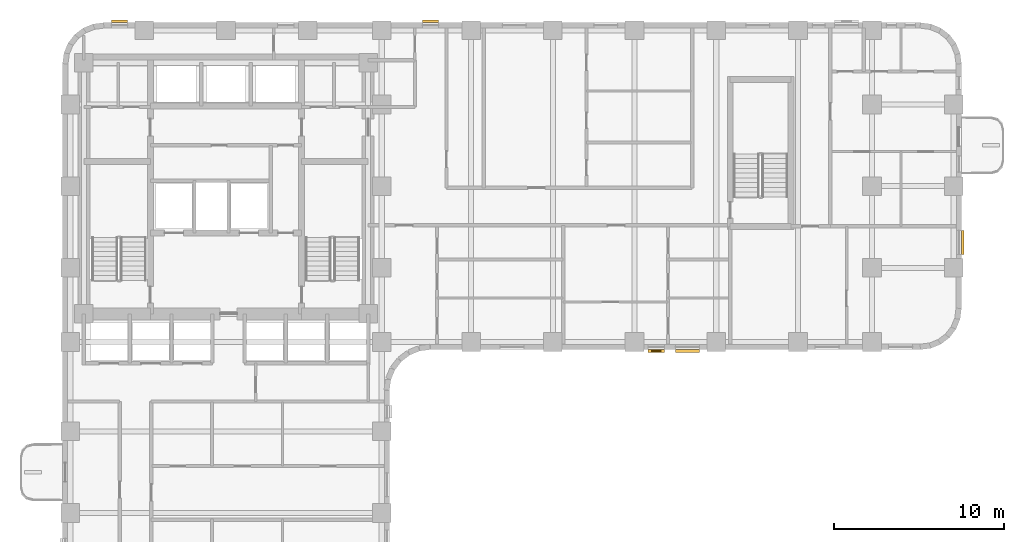
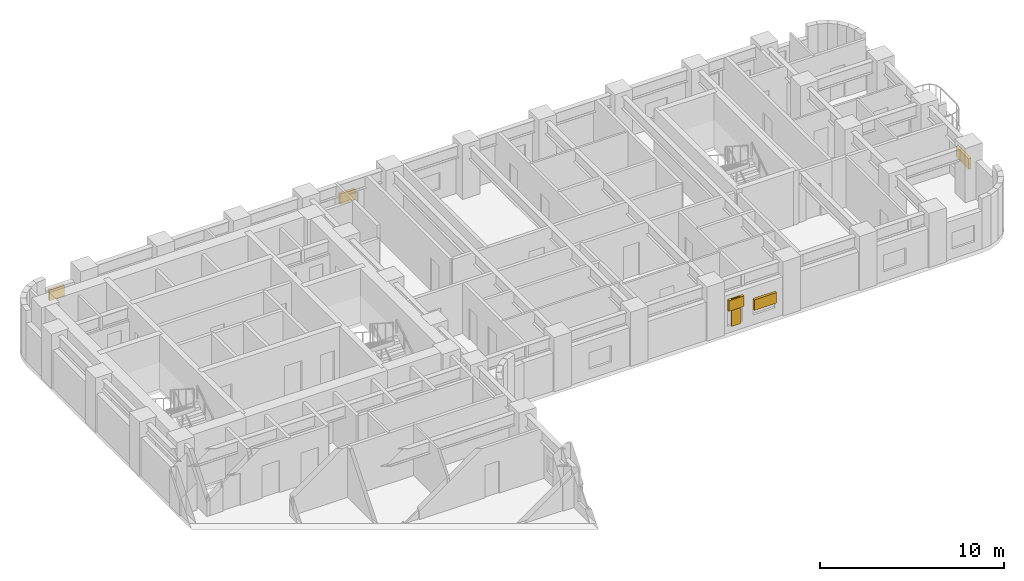
# One storey, part 9 of 10: 6 shading devices.
"""IFC4 building model written with IfcOpenShell, lengths in metres."""

import ifcopenshell
import ifcopenshell.guid

model = None  # the IFC model being written
_history = None  # IfcOwnerHistory: only IFC2X3 demands one
_inside = {}  # id of a spatial element -> (the spatial element, [elements in it])
_under = {}  # id of a project, library or spatial element -> (it, [spatial elements below it])
_declared = {}  # id of a project -> (the project, [libraries it declares])
_typed = {}  # id of a type object -> (the type object, [elements of that type])
_made_of = {}  # id of a material, layer set ... -> (it, [elements and type objects made of it])


def new_model(schema):
    """Start an empty IFC model of exactly this schema.

    Asked for "IFC4X3", IfcOpenShell would pick the latest addendum, in which some entities
    have other attributes; the version numbers below select the first issue.
    IFC2X3 requires an IfcOwnerHistory on every rooted entity: one is made here for all.
    """
    global model, _history
    if schema == "IFC4X3":
        model = ifcopenshell.file(schema_version=(4, 3, 0, 0))
    else:
        model = ifcopenshell.file(schema=schema)
    _inside.clear()
    _under.clear()
    _declared.clear()
    _typed.clear()
    _made_of.clear()
    _history = None
    if model.schema == "IFC2X3":
        org = make("IfcOrganization", Name="unknown")
        user = make(
            "IfcPersonAndOrganization",
            ThePerson=make("IfcPerson", FamilyName="unknown"),
            TheOrganization=org,
        )
        app = make(
            "IfcApplication",
            ApplicationDeveloper=org,
            Version="unknown",
            ApplicationFullName="unknown",
            ApplicationIdentifier="unknown",
        )
        _history = make(
            "IfcOwnerHistory",
            OwningUser=user,
            OwningApplication=app,
            ChangeAction="ADDED",
            CreationDate=0,
        )
    return model


def make(cls, **values):
    """One entity of the class cls with the attributes given. An attribute that is None is left unset."""
    return model.create_entity(
        cls, **{name: value for name, value in values.items() if value is not None}
    )


def rooted(cls, **values):
    """An entity with a GlobalId (a new one), such as an element, a storey or a relation."""
    return make(cls, GlobalId=ifcopenshell.guid.new(), OwnerHistory=_history, **values)


def si_unit(unit_type, name, prefix=None):
    """IfcSIUnit, for example si_unit("LENGTHUNIT", "METRE", prefix="MILLI")."""
    return make("IfcSIUnit", UnitType=unit_type, Prefix=prefix, Name=name)


def assignment(units):
    """IfcUnitAssignment: the units of a project."""
    return None if units is None else make("IfcUnitAssignment", Units=units)


def point(xyz):
    """IfcCartesianPoint."""
    return None if xyz is None else make("IfcCartesianPoint", Coordinates=xyz)


def direction(xyz):
    """IfcDirection."""
    return None if xyz is None else make("IfcDirection", DirectionRatios=xyz)


def frame(location, z_axis=None, x_axis=None):
    """IfcAxis2Placement3D, a coordinate frame: its origin and axes. An axis left out is left unset."""
    return make(
        "IfcAxis2Placement3D",
        Location=point(location),
        Axis=direction(z_axis),
        RefDirection=direction(x_axis),
    )


def frame_2d(location, x_axis=None):
    """IfcAxis2Placement2D, a coordinate frame in the plane: its origin and x axis."""
    return make(
        "IfcAxis2Placement2D", Location=point(location), RefDirection=direction(x_axis)
    )


def origin():
    """The frame at (0, 0, 0) with its axes left unset."""
    return frame((0.0, 0.0, 0.0))


def origin_2d():
    """The frame at (0, 0) in the plane with its x axis left unset."""
    return frame_2d((0.0, 0.0))


def place(relative_to, where):
    """IfcLocalPlacement: puts the frame where relative to a parent placement (None: the world)."""
    return make(
        "IfcLocalPlacement", PlacementRelTo=relative_to, RelativePlacement=where
    )


def context(
    kind, dimensions, precision=None, world=None, true_north=None, identifier=None
):
    """IfcGeometricRepresentationContext, for example the 3D "Model" context."""
    return make(
        "IfcGeometricRepresentationContext",
        ContextIdentifier=identifier,
        ContextType=kind,
        CoordinateSpaceDimension=dimensions,
        Precision=precision,
        WorldCoordinateSystem=world,
        TrueNorth=true_north,
    )


def subcontext(parent, identifier, kind, view, scale=None):
    """IfcGeometricRepresentationSubContext, for example "Body" below "Model"."""
    return make(
        "IfcGeometricRepresentationSubContext",
        ContextIdentifier=identifier,
        ContextType=kind,
        ParentContext=parent,
        TargetScale=scale,
        TargetView=view,
    )


def project(units=None, contexts=None):
    """IfcProject with its units and contexts."""
    return rooted(
        "IfcProject",
        Name="project",
        RepresentationContexts=contexts,
        UnitsInContext=assignment(units),
    )


def spatial(cls, under=None, at=None, **own):
    """A site, building, storey or space (cls), placed at a placement, below another one or the project."""
    s = rooted(cls, ObjectPlacement=at, **own)
    if under is not None:
        _under.setdefault(under.id(), (under, []))[1].append(s)
    return s


def profile(cls, at=None, kind="AREA", **sizes):
    """A parametric profile (cls). Its sizes go by their IFC names, for example OverallWidth=200.0."""
    return make(cls, ProfileType=kind, Position=at, **sizes)


def rectangle(**sizes):
    """IfcRectangleProfileDef."""
    return profile("IfcRectangleProfileDef", **sizes)


def extrude(swept, where, along, depth):
    """IfcExtrudedAreaSolid: the profile swept, set in the frame where, extruded along a direction by depth."""
    return make(
        "IfcExtrudedAreaSolid",
        SweptArea=swept,
        Position=where,
        ExtrudedDirection=direction(along),
        Depth=depth,
    )


def shape(context_of_items, identifier, shape_type, items):
    """IfcShapeRepresentation: the items that make up one representation, for example the "Body"."""
    return make(
        "IfcShapeRepresentation",
        ContextOfItems=context_of_items,
        RepresentationIdentifier=identifier,
        RepresentationType=shape_type,
        Items=items,
    )


def material(Name=None, Category=None):
    """IfcMaterial."""
    return make("IfcMaterial", Name=Name, Category=Category)


def made_of(thing, what):
    """Note that an element or type object is made of a material, layer set ...; save() writes the relation."""
    if what is not None:
        _made_of.setdefault(what.id(), (what, []))[1].append(thing)
    return thing


def type_object(cls, material=None, **own):
    """A type object (cls), such as IfcWallType, which elements share."""
    return made_of(rooted(cls, **own), material)


def element(
    cls,
    number,
    at=None,
    inside=None,
    cuts=None,
    type_object=None,
    material=None,
    context=None,
    identifier="Body",
    shape_type=None,
    held_by="IfcProductDefinitionShape",
    body=None,
    shapes=None,
    **own,
):
    """One element of the class cls, such as IfcWall. Its Tag is "e" and its number.

    at: its placement. inside: the storey or other place that contains it. cuts: it is an
    opening in that element (IfcRelVoidsElement). A single representation is given by context,
    identifier, shape_type and body (its items); several are given by shapes. held_by: the class
    of the entity that holds the representations. save() writes the other relations.
    """
    e = rooted(cls, Tag="e%d" % number, ObjectPlacement=at, **own)
    if body is not None:
        shapes = [shape(context, identifier, shape_type, body)]
    if shapes is not None:
        e.Representation = make(held_by, Representations=shapes)
    if inside is not None:
        _inside.setdefault(inside.id(), (inside, []))[1].append(e)
    if cuts is not None:
        rooted(
            "IfcRelVoidsElement", RelatingBuildingElement=cuts, RelatedOpeningElement=e
        )
    if type_object is not None:
        _typed.setdefault(type_object.id(), (type_object, []))[1].append(e)
    return made_of(e, material)


def aggregate(whole, parts):
    """IfcRelAggregates: a whole, such as a stair, and the parts it consists of."""
    return rooted("IfcRelAggregates", RelatingObject=whole, RelatedObjects=parts)


def save(model, path):
    """Write the relations noted so far, then the file.

    IfcRelAggregates (storeys below a building ...), IfcRelContainedInSpatialStructure (elements
    in a storey), IfcRelDefinesByType, IfcRelAssociatesMaterial and IfcRelDeclares: one each for
    every whole, place, type object, material and project.
    """
    for whole, parts in _under.values():
        aggregate(whole, parts)
    for where, things in _inside.values():
        rooted(
            "IfcRelContainedInSpatialStructure",
            RelatedElements=things,
            RelatingStructure=where,
        )
    for kind, things in _typed.values():
        rooted("IfcRelDefinesByType", RelatedObjects=things, RelatingType=kind)
    for what, things in _made_of.values():
        rooted("IfcRelAssociatesMaterial", RelatedObjects=things, RelatingMaterial=what)
    for by, libraries in _declared.values():
        rooted("IfcRelDeclares", RelatingContext=by, RelatedDefinitions=libraries)
    model.write(path)


model = new_model("IFC4")

# Units and contexts
model_context = context("Model", 3, precision=1e-05, world=origin(), true_north=direction((0.0, 1.0)))
body_context = subcontext(model_context, "Body", "Model", "MODEL_VIEW")
ifc_project = project(units=[si_unit("LENGTHUNIT", "METRE"), si_unit("AREAUNIT", "SQUARE_METRE"), si_unit("VOLUMEUNIT", "CUBIC_METRE"), si_unit("PLANEANGLEUNIT", "RADIAN"), si_unit("MASSUNIT", "GRAM", prefix="KILO")], contexts=[model_context])

# Site, building, storey
site_placement = place(None, origin())
site = spatial("IfcSite", under=ifc_project, at=site_placement, CompositionType="ELEMENT")
building_placement = place(site_placement, origin())
building = spatial("IfcBuilding", under=site, at=building_placement, Name="Orvandelia Arch Residences", CompositionType="ELEMENT")
storey_placement = place(building_placement, frame((0.0, 0.0, 75.39990234375)))
storey = spatial("IfcBuildingStorey", under=building, at=storey_placement, Name="L19", CompositionType="ELEMENT", Elevation=75.39990234375)

# Shading devices
ifc_material_1 = material(Name="Anodised Champagne-Bronze Extruded Aluminium", Category="aluminium")
shading_device_type_1 = type_object("IfcShadingDeviceType", Name="SHD-JALOUSIE-SCREEN", PredefinedType="JALOUSIE", material=ifc_material_1)
for number, where, z_axis, x_axis, name in (
    (1, (26.4150390625, 48.080078125, 1.55029296875), (0.0, 0.0, 1.0), (1.0, 0.0, 0.0), "Bronze Jalousie Sun-Shade L19-001"),
    (2, (8.14501953125, 48.080078125, 1.55029296875), (0.0, 0.0, 1.0), (1.0, 0.0, 0.0), "Bronze Jalousie Sun-Shade L19-002"),
):
    element("IfcShadingDevice", number, at=place(storey_placement, frame(where, z_axis=z_axis, x_axis=x_axis)), inside=storey, type_object=shading_device_type_1, Name=name, PredefinedType="JALOUSIE", context=body_context, shape_type="SweptSolid", body=[
        extrude(rectangle(XDim=0.949951171875, YDim=0.159912109375, at=origin_2d()), origin(), (0.0, 0.0, 1.0), 0.699951171875),
    ])
for number, where, z_axis, x_axis, name in (
    (3, (57.679931640625, 35.10009765625, 1.05029296875), (0.0, 0.0, 1.0), (0.0, -1.0, 0.0), "Bronze Jalousie Sun-Shade L19-004"),
    (4, (41.49951171875, 28.719970703125, 1.05029296875), (0.0, 0.0, 1.0), (-1.0, 0.0, 0.0), "Bronze Jalousie Sun-Shade L19-005"),
):
    element("IfcShadingDevice", number, at=place(storey_placement, frame(where, z_axis=z_axis, x_axis=x_axis)), inside=storey, type_object=shading_device_type_1, Name=name, PredefinedType="JALOUSIE", context=body_context, shape_type="SweptSolid", body=[
        extrude(rectangle(XDim=1.39990234375, YDim=0.159912109375, at=origin_2d()), origin(), (0.0, 0.0, 1.0), 0.699951171875),
    ])
shading_device_1_placement = place(storey_placement, frame((39.66943359375, 28.719970703125, 1.55029296875), z_axis=(0.0, 0.0, 1.0), x_axis=(-1.0, 0.0, 0.0)))
element("IfcShadingDevice", 5, at=shading_device_1_placement, inside=storey, type_object=shading_device_type_1, Name="Bronze Jalousie Sun-Shade L19-006", PredefinedType="JALOUSIE", context=body_context, shape_type="SweptSolid", body=[
    extrude(rectangle(XDim=0.949951171875, YDim=0.159912109375, at=origin_2d()), origin(), (0.0, 0.0, 1.0), 0.699951171875),
])
ifc_material_2 = material(Name="Marine-Grade Perforated Aluminium Storm Shutter", Category="aluminium")
shading_device_type_2 = type_object("IfcShadingDeviceType", Name="SHD-STORM-SHUTTER", PredefinedType="SHUTTER", material=ifc_material_2)
shading_device_2_placement = place(storey_placement, frame((39.66943359375, 28.719970703125, 0.4501953125), z_axis=(0.0, 0.0, 1.0), x_axis=(-1.0, 0.0, 0.0)))
element("IfcShadingDevice", 6, at=shading_device_2_placement, inside=storey, type_object=shading_device_type_2, Name="Operable Typhoon Storm Shutter L19-006", PredefinedType="SHUTTER", context=body_context, shape_type="SweptSolid", body=[
    extrude(rectangle(XDim=0.550048828125, YDim=0.080078125, at=origin_2d()), origin(), (0.0, 0.0, 1.0), 1.800048828125),
])

save(model, "model.ifc")
